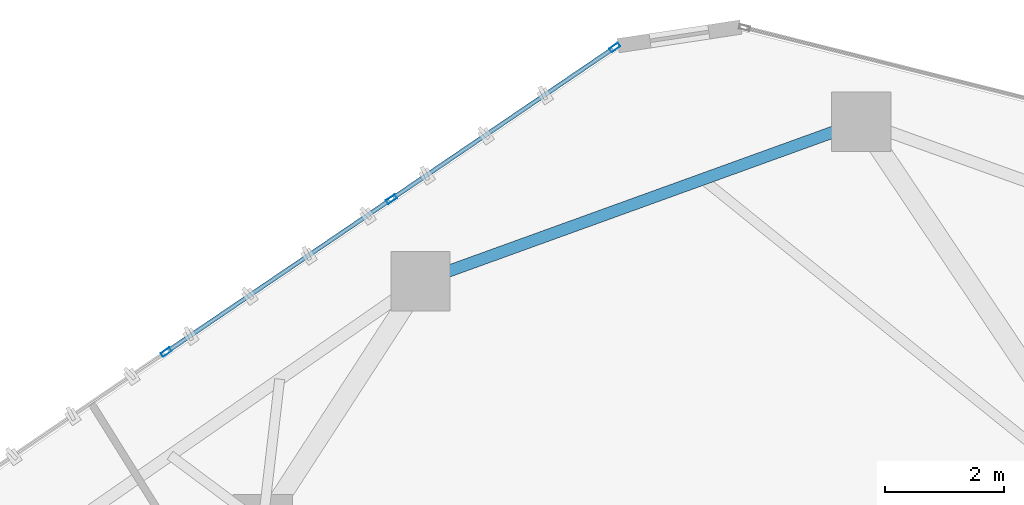
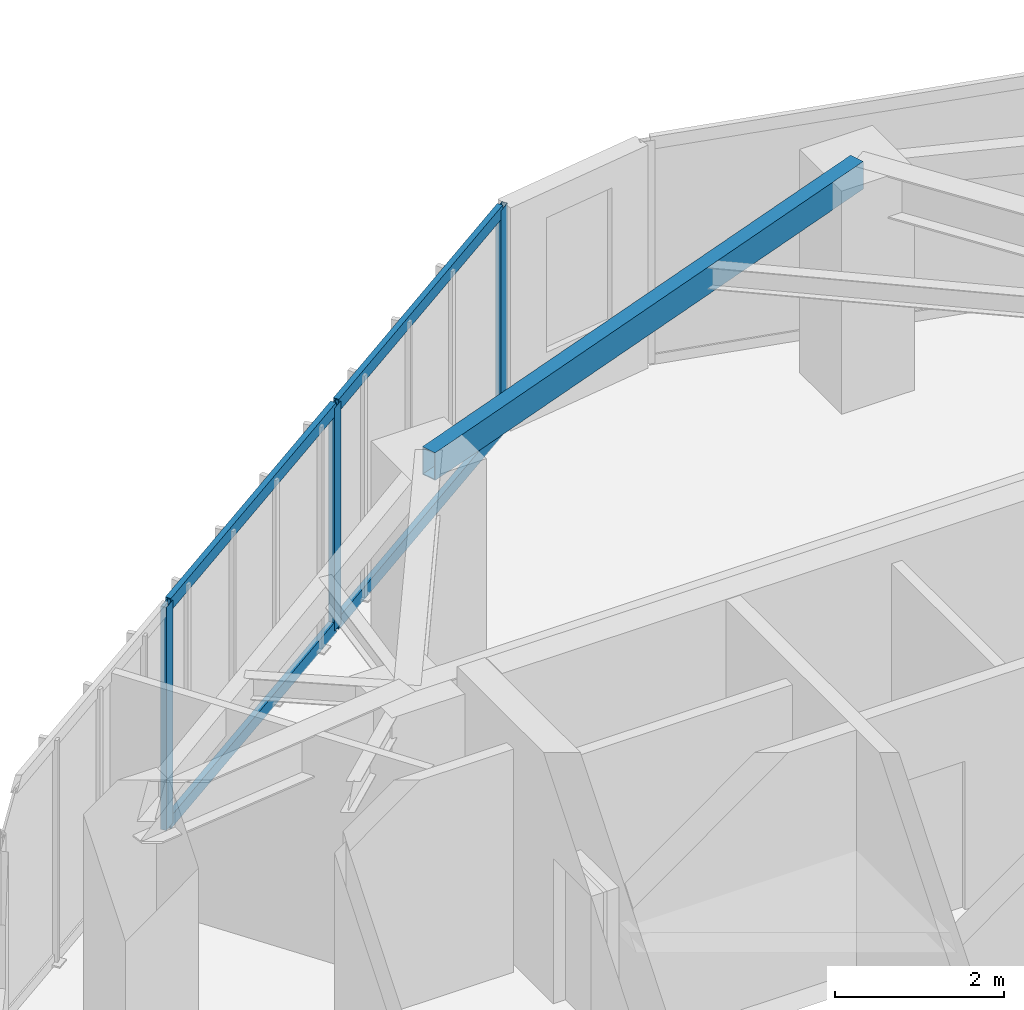
# One storey, part 12 of 20: 7 members, 1 beam, 1 element without a shape of its own.
"""IFC4 building model written with IfcOpenShell, lengths in metres."""

from ifc_helpers import new_model, si_unit, direction, frame, origin, origin_2d, place, context, subcontext, project, spatial, hollow_rectangle, extrude, source, transform, mapped, material, layer, layer_set, material_profile, profile_set, type_object, type_shapes, element, aggregate, save


model = new_model("IFC4")

# Units and contexts
model_context = context("Model", 3, precision=1e-05, world=origin(), true_north=direction((0.0, 1.0)))
body_context = subcontext(model_context, "Body", "Model", "MODEL_VIEW")
ifc_project = project(units=[si_unit("LENGTHUNIT", "METRE"), si_unit("AREAUNIT", "SQUARE_METRE"), si_unit("VOLUMEUNIT", "CUBIC_METRE"), si_unit("PLANEANGLEUNIT", "RADIAN"), si_unit("MASSUNIT", "GRAM", prefix="KILO")], contexts=[model_context])

# Site, building, storey
site_placement = place(None, origin())
site = spatial("IfcSite", under=ifc_project, at=site_placement, CompositionType="ELEMENT")
building_placement = place(site_placement, origin())
building = spatial("IfcBuilding", under=site, at=building_placement, Name="Talar Marvaseh", CompositionType="ELEMENT")
storey_placement = place(building_placement, frame((0.0, 0.0, 191.5)))
storey = spatial("IfcBuildingStorey", under=building, at=storey_placement, Name="L50", CompositionType="ELEMENT", Elevation=191.5)

# Beam
ifc_material_1 = material(Name="Steel S355", Category="steel")
ifc_material_profile_1 = material_profile(ifc_material_1, hollow_rectangle(XDim=0.199951171875, YDim=0.39990234375, WallThickness=0.013916015625, at=origin_2d()), Name="RHS400x200x14")
ifc_profile_set_1 = profile_set([ifc_material_profile_1], Name="Steel S355")
beam_type = type_object("IfcBeamType", Name="Zone 3 Perimeter Spandrel Beam RHS400x200x14", PredefinedType="SPANDREL", material=ifc_profile_set_1)
beam_placement = place(storey_placement, frame((21.35205078125, 40.986083984375, 3.030029296875), z_axis=(0.940368006783, 0.340158803824, 0.0), x_axis=(-0.340158803824, 0.940368006783, 0.0)))
element("IfcBeam", 1, at=beam_placement, inside=storey, type_object=beam_type, Name="L50 Zone 3 Perimeter Spandrel Beam RHS400x200x14", PredefinedType="SPANDREL", context=body_context, shape_type="SweptSolid", body=[
    extrude(hollow_rectangle(XDim=0.199951171875, YDim=0.39990234375, WallThickness=0.013916015625, at=origin_2d()), origin(), (0.0, 0.0, 1.0), 7.88427734375),
])

# Curtain wall, members
ifc_material_2 = material(Name="Architectural Aluminium", Category="aluminium")
ifc_layer = layer(ifc_material_2, 0.18994140625)
ifc_layer_set = layer_set([ifc_layer], Name="Architectural Aluminium")
curtain_wall_type = type_object("IfcCurtainWallType", Name="Unitised Solar Atelier Curtain Wall Z3", PredefinedType="NOTDEFINED", material=ifc_layer_set)
curtain_wall_placement = place(storey_placement, origin())
curtain_wall = element("IfcCurtainWall", 2, at=curtain_wall_placement, inside=storey, type_object=curtain_wall_type, Name="L50 Unitised Solar Atelier Curtain Wall Z3", PredefinedType="NOTDEFINED")
ifc_material_profile_2 = material_profile(ifc_material_2, hollow_rectangle(XDim=0.074951171875, YDim=0.179931640625, WallThickness=0.0048828125, at=origin_2d()), Name="RHS180x75x5")
ifc_profile_set_2 = profile_set([ifc_material_profile_2], Name="Architectural Aluminium")
member_type_1 = type_object("IfcMemberType", Name="Unitised Curtain Wall Standard Mullion RHS180x75x5", PredefinedType="MULLION", material=ifc_profile_set_2)
shared_shape_1 = source(origin(), body_context, "Body", "SweptSolid", [
    extrude(hollow_rectangle(XDim=0.074951171875, YDim=0.179931640625, WallThickness=0.0048828125, at=origin_2d()), origin(), (0.0, 0.0, 1.0), 3.22998046875),
])
type_shapes(member_type_1, [shared_shape_1])
member_1_placement = place(storey_placement, frame((17.076416015625, 39.7958984375, 0.0), z_axis=(0.0, 0.0, 1.0), x_axis=(-0.561827090488, 0.827254688952, 0.0)))
member_1 = element("IfcMember", 3, at=member_1_placement, type_object=member_type_1, Name="CW-Z3 mullion 2", PredefinedType="MULLION", context=body_context, shape_type="MappedRepresentation", body=[
    mapped(shared_shape_1, transform((0.0, 0.0, 0.0), x_axis=(1.0, 0.0, 0.0), y_axis=(0.0, 1.0, 0.0), z_axis=(0.0, 0.0, 1.0), scale=1.0)),
])
member_2_placement = place(storey_placement, frame((20.863037109375, 42.36767578125, 0.0), z_axis=(0.0, 0.0, 1.0), x_axis=(-0.561827090488, 0.827254688952, 0.0)))
member_2 = element("IfcMember", 4, at=member_2_placement, type_object=member_type_1, Name="CW-Z3 mullion 3", PredefinedType="MULLION", context=body_context, shape_type="MappedRepresentation", body=[
    mapped(shared_shape_1, transform((0.0, 0.0, 0.0), x_axis=(1.0, 0.0, 0.0), y_axis=(0.0, 1.0, 0.0), z_axis=(0.0, 0.0, 1.0), scale=1.0)),
])
member_3_placement = place(storey_placement, frame((24.618408203125, 44.918212890625, 0.0), z_axis=(0.0, 0.0, 1.0), x_axis=(-0.561827090488, 0.827254688952, 0.0)))
member_3 = element("IfcMember", 5, at=member_3_placement, type_object=member_type_1, Name="CW-Z3 mullion 4", PredefinedType="MULLION", context=body_context, shape_type="MappedRepresentation", body=[
    mapped(shared_shape_1, transform((0.0, 0.0, 0.0), x_axis=(1.0, 0.0, 0.0), y_axis=(0.0, 1.0, 0.0), z_axis=(0.0, 0.0, 1.0), scale=1.0)),
])
ifc_material_profile_3 = material_profile(ifc_material_2, hollow_rectangle(XDim=0.074951171875, YDim=0.179931640625, WallThickness=0.0048828125, at=origin_2d()), Name="RHS180x75x5")
ifc_profile_set_3 = profile_set([ifc_material_profile_3], Name="Architectural Aluminium")
member_type_2 = type_object("IfcMemberType", Name="Unitised Curtain Wall Transom RHS180x75x5", PredefinedType="USERDEFINED", material=ifc_profile_set_3)
shared_shape_2 = source(origin(), body_context, "Body", "SweptSolid", [
    extrude(hollow_rectangle(XDim=0.074951171875, YDim=0.179931640625, WallThickness=0.0048828125, at=origin_2d()), origin(), (0.0, 0.0, 1.0), 4.464599609375),
])
member_4_placement = place(storey_placement, frame((20.89404296875, 42.388671875, 0.03759765625), z_axis=(0.827257931759, 0.561822315632, 0.0), x_axis=(-0.561822315632, 0.827257931759, 0.0)))
member_4 = element("IfcMember", 6, at=member_4_placement, type_object=member_type_2, Name="CW-Z3 transom 3.1", ObjectType="TRANSOM", PredefinedType="USERDEFINED", context=body_context, shape_type="MappedRepresentation", body=[
    mapped(shared_shape_2, transform((0.0, 0.0, 0.0), x_axis=(1.0, 0.0, 0.0), y_axis=(0.0, 1.0, 0.0), z_axis=(0.0, 0.0, 1.0), scale=1.0)),
])
member_5_placement = place(storey_placement, frame((20.89404296875, 42.388671875, 3.1923828125), z_axis=(0.827257931759, 0.561822315632, 0.0), x_axis=(-0.561822315632, 0.827257931759, 0.0)))
member_5 = element("IfcMember", 7, at=member_5_placement, type_object=member_type_2, Name="CW-Z3 transom 3.2", ObjectType="TRANSOM", PredefinedType="USERDEFINED", context=body_context, shape_type="MappedRepresentation", body=[
    mapped(shared_shape_2, transform((0.0, 0.0, 0.0), x_axis=(1.0, 0.0, 0.0), y_axis=(0.0, 1.0, 0.0), z_axis=(0.0, 0.0, 1.0), scale=1.0)),
])
shared_shape_3 = source(origin(), body_context, "Body", "SweptSolid", [
    extrude(hollow_rectangle(XDim=0.074951171875, YDim=0.179931640625, WallThickness=0.0048828125, at=origin_2d()), origin(), (0.0, 0.0, 1.0), 4.50244140625),
])
type_shapes(member_type_2, [shared_shape_2, shared_shape_3])
member_6_placement = place(storey_placement, frame((17.107421875, 39.81689453125, 0.03759765625), z_axis=(0.827256159201, 0.561824925635, 0.0), x_axis=(-0.561824925635, 0.827256159201, 0.0)))
member_6 = element("IfcMember", 8, at=member_6_placement, type_object=member_type_2, Name="CW-Z3 transom 2.1", ObjectType="TRANSOM", PredefinedType="USERDEFINED", context=body_context, shape_type="MappedRepresentation", body=[
    mapped(shared_shape_3, transform((0.0, 0.0, 0.0), x_axis=(1.0, 0.0, 0.0), y_axis=(0.0, 1.0, 0.0), z_axis=(0.0, 0.0, 1.0), scale=1.0)),
])
member_7_placement = place(storey_placement, frame((17.107421875, 39.81689453125, 3.1923828125), z_axis=(0.827256159201, 0.561824925635, 0.0), x_axis=(-0.561824925635, 0.827256159201, 0.0)))
member_7 = element("IfcMember", 9, at=member_7_placement, type_object=member_type_2, Name="CW-Z3 transom 2.2", ObjectType="TRANSOM", PredefinedType="USERDEFINED", context=body_context, shape_type="MappedRepresentation", body=[
    mapped(shared_shape_3, transform((0.0, 0.0, 0.0), x_axis=(1.0, 0.0, 0.0), y_axis=(0.0, 1.0, 0.0), z_axis=(0.0, 0.0, 1.0), scale=1.0)),
])
aggregate(curtain_wall, [member_1, member_2, member_3, member_6, member_7, member_4, member_5])

save(model, "model.ifc")
